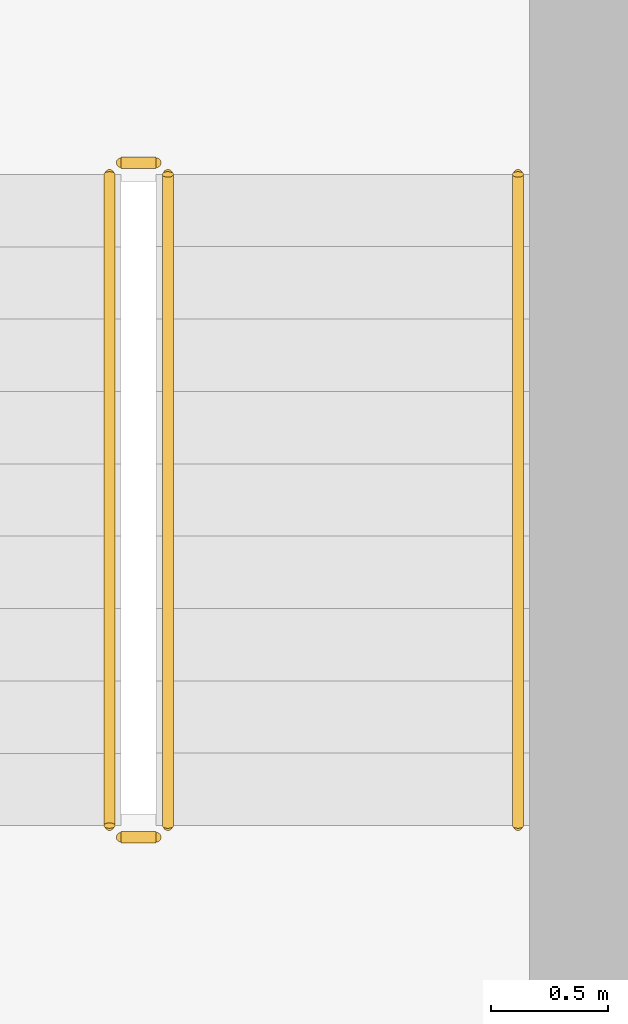
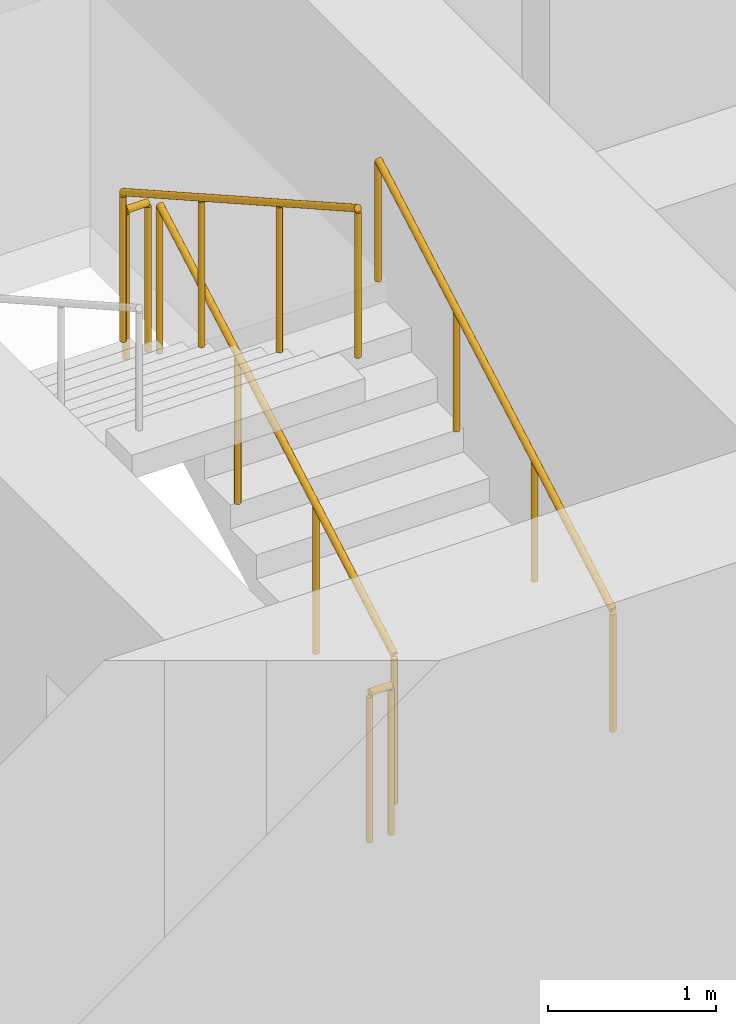
# One storey, part 17 of 21: 5 railings.
"""IFC4 building model written with IfcOpenShell, lengths in metres."""

from ifc_helpers import new_model, si_unit, direction, frame, origin, origin_2d, place, context, subcontext, project, spatial, circle, extrude, material, type_object, element, save


model = new_model("IFC4")

# Units and contexts
model_context = context("Model", 3, precision=1e-05, world=origin(), true_north=direction((0.0, 1.0)))
body_context = subcontext(model_context, "Body", "Model", "MODEL_VIEW")
ifc_project = project(units=[si_unit("LENGTHUNIT", "METRE"), si_unit("AREAUNIT", "SQUARE_METRE"), si_unit("VOLUMEUNIT", "CUBIC_METRE"), si_unit("PLANEANGLEUNIT", "RADIAN"), si_unit("MASSUNIT", "GRAM", prefix="KILO")], contexts=[model_context])

# Site, building, storey
site_placement = place(None, origin())
site = spatial("IfcSite", under=ifc_project, at=site_placement, CompositionType="ELEMENT")
building_placement = place(site_placement, origin())
building = spatial("IfcBuilding", under=site, at=building_placement, Name="Madar Terraces", CompositionType="ELEMENT")
storey_placement = place(building_placement, frame((0.0, 0.0, 32.89990234375)))
storey = spatial("IfcBuildingStorey", under=building, at=storey_placement, Name="L07", CompositionType="ELEMENT", Elevation=32.89990234375)

# Railings
ifc_material_1 = material(Name="Stainless steel railing", Category="steel")
railing_type_1 = type_object("IfcRailingType", Name="Stair guard 1100", PredefinedType="GUARDRAIL", material=ifc_material_1)
railing_1_placement = place(storey_placement, frame((21.199951171875, 17.60009765625, 0.175048828125)))
element("IfcRailing", 1, at=railing_1_placement, inside=storey, type_object=railing_type_1, Name="L07 ST1 stair guard 1", PredefinedType="GUARDRAIL", context=body_context, shape_type="SweptSolid", body=[
    extrude(circle(Radius=0.02392578125, at=origin_2d()), frame((0.0, 0.0, 1.076171875), z_axis=(0.0, 0.870815363784, 0.491610213684), x_axis=(-1.0, 0.0, 0.0)), (0.0, 0.0, 1.0), 3.20361328125),
    extrude(circle(Radius=0.02099609375, at=origin_2d()), origin(), (0.0, 0.0, 1.0), 1.052001953125),
    extrude(circle(Radius=0.02099609375, at=origin_2d()), frame((0.0, 0.929931640625, 0.52490234375)), (0.0, 0.0, 1.0), 1.052001953125),
    extrude(circle(Radius=0.02099609375, at=origin_2d()), frame((0.0, 1.85986328125, 1.050048828125)), (0.0, 0.0, 1.0), 1.052001953125),
    extrude(circle(Radius=0.02099609375, at=origin_2d()), frame((0.0, 2.789794921875, 1.574951171875)), (0.0, 0.0, 1.0), 1.052001953125),
])
railing_2_placement = place(storey_placement, frame((21.14990234375, 20.43994140625, 1.75)))
element("IfcRailing", 2, at=railing_2_placement, inside=storey, type_object=railing_type_1, Name="L07 ST1 stair guard 2", PredefinedType="GUARDRAIL", context=body_context, shape_type="SweptSolid", body=[
    extrude(circle(Radius=0.02392578125, at=origin_2d()), frame((0.0, 0.0, 1.076171875), z_axis=(-1.0, 0.0, 0.0), x_axis=(0.0, -1.0, 0.0)), (0.0, 0.0, 1.0), 0.14990234375),
    extrude(circle(Radius=0.02099609375, at=origin_2d()), origin(), (0.0, 0.0, 1.0), 1.052001953125),
    extrude(circle(Radius=0.02099609375, at=origin_2d()), frame((-0.14990234375, 0.0, 0.0)), (0.0, 0.0, 1.0), 1.052001953125),
])
railing_3_placement = place(storey_placement, frame((20.949951171875, 20.389892578125, 1.925048828125)))
element("IfcRailing", 3, at=railing_3_placement, inside=storey, type_object=railing_type_1, Name="L07 ST1 stair guard 3", PredefinedType="GUARDRAIL", context=body_context, shape_type="SweptSolid", body=[
    extrude(circle(Radius=0.02392578125, at=origin_2d()), frame((0.0, 0.0, 1.076171875), z_axis=(0.0, -0.870815363784, 0.491610213684), x_axis=(1.0, 0.0, 0.0)), (0.0, 0.0, 1.0), 3.20361328125),
    extrude(circle(Radius=0.02099609375, at=origin_2d()), origin(), (0.0, 0.0, 1.0), 1.052001953125),
    extrude(circle(Radius=0.02099609375, at=origin_2d()), frame((0.0, -0.929931640625, 0.52490234375)), (0.0, 0.0, 1.0), 1.052001953125),
    extrude(circle(Radius=0.02099609375, at=origin_2d()), frame((0.0, -1.85986328125, 1.050048828125)), (0.0, 0.0, 1.0), 1.052001953125),
    extrude(circle(Radius=0.02099609375, at=origin_2d()), frame((0.0, -2.789794921875, 1.574951171875)), (0.0, 0.0, 1.0), 1.052001953125),
])
railing_4_placement = place(storey_placement, frame((21.14990234375, 17.550048828125, 0.0)))
element("IfcRailing", 4, at=railing_4_placement, inside=storey, type_object=railing_type_1, Name="L07 ST1 stair guard 4", PredefinedType="GUARDRAIL", context=body_context, shape_type="SweptSolid", body=[
    extrude(circle(Radius=0.02392578125, at=origin_2d()), frame((0.0, 0.0, 1.076171875), z_axis=(-1.0, 0.0, 0.0), x_axis=(0.0, -1.0, 0.0)), (0.0, 0.0, 1.0), 0.14990234375),
    extrude(circle(Radius=0.02099609375, at=origin_2d()), origin(), (0.0, 0.0, 1.0), 1.052001953125),
    extrude(circle(Radius=0.02099609375, at=origin_2d()), frame((-0.14990234375, 0.0, 0.0)), (0.0, 0.0, 1.0), 1.052001953125),
])
ifc_material_2 = material(Name="Stainless steel railing", Category="steel")
railing_type_2 = type_object("IfcRailingType", Name="Stair handrail 900", PredefinedType="HANDRAIL", material=ifc_material_2)
railing_5_placement = place(storey_placement, frame((22.699951171875, 17.60009765625, 0.175048828125)))
element("IfcRailing", 5, at=railing_5_placement, inside=storey, type_object=railing_type_2, Name="L07 ST1 stair handrail 1", PredefinedType="HANDRAIL", context=body_context, shape_type="SweptSolid", body=[
    extrude(circle(Radius=0.02392578125, at=origin_2d()), frame((0.0, 0.0, 0.8759765625), z_axis=(0.0, 0.870815363784, 0.491610213684), x_axis=(-1.0, 0.0, 0.0)), (0.0, 0.0, 1.0), 3.20361328125),
    extrude(circle(Radius=0.02099609375, at=origin_2d()), origin(), (0.0, 0.0, 1.0), 0.851806640625),
    extrude(circle(Radius=0.02099609375, at=origin_2d()), frame((0.0, 0.929931640625, 0.52490234375)), (0.0, 0.0, 1.0), 0.851806640625),
    extrude(circle(Radius=0.02099609375, at=origin_2d()), frame((0.0, 1.85986328125, 1.050048828125)), (0.0, 0.0, 1.0), 0.851806640625),
    extrude(circle(Radius=0.02099609375, at=origin_2d()), frame((0.0, 2.789794921875, 1.574951171875)), (0.0, 0.0, 1.0), 0.851806640625),
])

save(model, "model.ifc")
